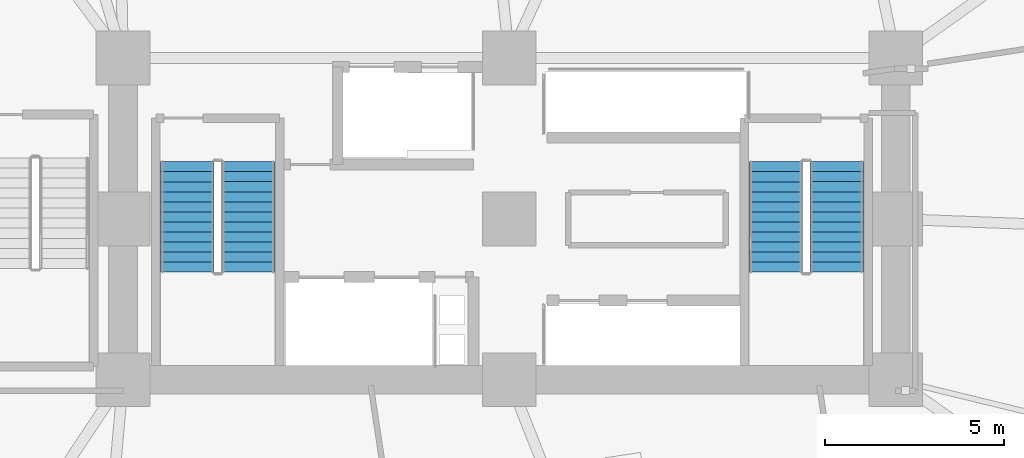
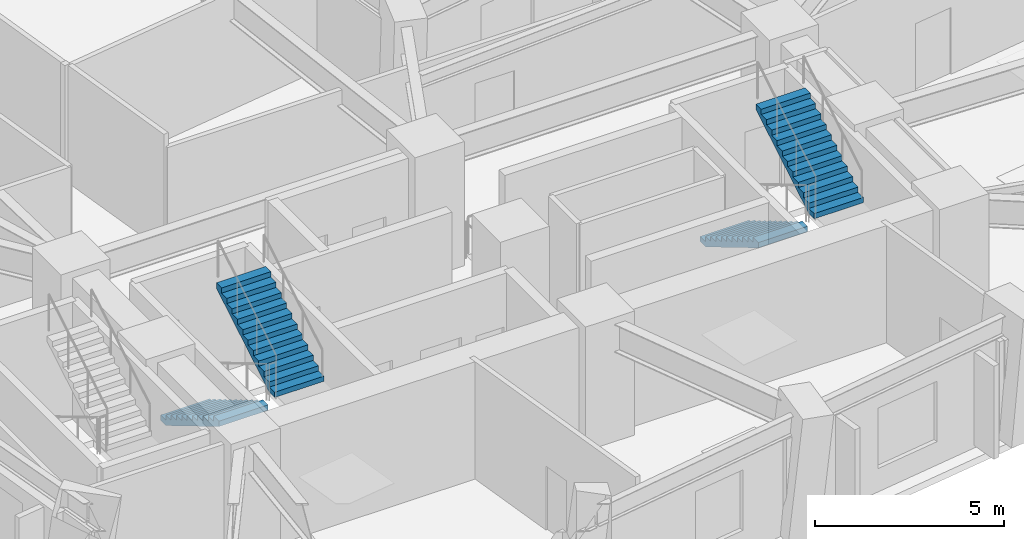
# One storey, part 11 of 15: 4 stair flights, 2 elements without a shape of their own.
"""IFC4 building model written with IfcOpenShell, lengths in metres."""

from ifc_helpers import new_model, si_unit, direction, frame, origin, place, context, subcontext, project, spatial, polyline, outline, extrude, material, type_object, element, aggregate, save


model = new_model("IFC4")

# Units and contexts
model_context = context("Model", 3, precision=1e-05, world=origin(), true_north=direction((0.0, 1.0)))
body_context = subcontext(model_context, "Body", "Model", "MODEL_VIEW")
ifc_project = project(units=[si_unit("LENGTHUNIT", "METRE"), si_unit("AREAUNIT", "SQUARE_METRE"), si_unit("VOLUMEUNIT", "CUBIC_METRE"), si_unit("PLANEANGLEUNIT", "RADIAN"), si_unit("MASSUNIT", "GRAM", prefix="KILO")], contexts=[model_context])

# Site, building, storey
site_placement = place(None, origin())
site = spatial("IfcSite", under=ifc_project, at=site_placement, CompositionType="ELEMENT")
building_placement = place(site_placement, origin())
building = spatial("IfcBuilding", under=site, at=building_placement, Name="Gaonmaruhae Medical Tower", CompositionType="ELEMENT")
storey_placement = place(building_placement, frame((0.0, 0.0, 59.0)))
storey = spatial("IfcBuildingStorey", under=building, at=storey_placement, Name="L13", CompositionType="ELEMENT", Elevation=59.0)

# Stair, stair flights
ifc_material = material(Name="Concrete C40/50", Category="concrete")
stair_type = type_object("IfcStairType", Name="ST-T1 Primary Core Escape Dogleg Stair", PredefinedType="TWO_QUARTER_TURN_STAIR", material=ifc_material)
stair_1_placement = place(storey_placement, origin())
stair_1 = element("IfcStair", 1, at=stair_1_placement, inside=storey, type_object=stair_type, Name="L13 Protected Escape Stair ST-01", PredefinedType="TWO_QUARTER_TURN_STAIR")
stair_flight_type = type_object("IfcStairFlightType", Name="SF-T1 Primary Core Precast Stair Flight", PredefinedType="STRAIGHT", material=ifc_material)
stair_flight_1_placement = place(storey_placement, frame((15.800048828125, 13.89990234375, 0.0), z_axis=(0.0, 0.0, 1.0), x_axis=(0.0, -1.0, 0.0)))
stair_flight_1 = element("IfcStairFlight", 2, at=stair_flight_1_placement, type_object=stair_flight_type, Name="ST-01 flight 1", NumberOfRisers=12, NumberOfTreads=11, PredefinedType="STRAIGHT", RiserHeight=0.166666667, TreadLength=0.28, context=body_context, shape_type="SweptSolid", body=[
    extrude(outline(polyline([(0.0, 0.0), (0.0, 0.166748046875), (0.280029296875, 0.166748046875), (0.280029296875, 0.333251953125), (0.56005859375, 0.333251953125), (0.56005859375, 0.5), (0.840087890625, 0.5), (0.840087890625, 0.666748046875), (1.1201171875, 0.666748046875), (1.1201171875, 0.833251953125), (1.39990234375, 0.833251953125), (1.39990234375, 1.0), (1.679931640625, 1.0), (1.679931640625, 1.166748046875), (1.9599609375, 1.166748046875), (1.9599609375, 1.333251953125), (2.239990234375, 1.333251953125), (2.239990234375, 1.5), (2.52001953125, 1.5), (2.52001953125, 1.666748046875), (2.800048828125, 1.666748046875), (2.800048828125, 1.833251953125), (3.080078125, 1.833251953125), (3.080078125, 2.0), (3.080078125, 1.658935546875), (0.29296875, 0.0), (0.0, 0.0)])), frame((0.0, 0.75, 0.0), z_axis=(0.0, -1.0, 0.0), x_axis=(1.0, 0.0, 0.0)), (0.0, 0.0, 1.0), 1.5),
])
stair_flight_2_placement = place(storey_placement, frame((17.5, 10.820068359375, 2.0), z_axis=(0.0, 0.0, 1.0), x_axis=(0.0, 1.0, 0.0)))
stair_flight_2 = element("IfcStairFlight", 3, at=stair_flight_2_placement, type_object=stair_flight_type, Name="ST-01 flight 2", NumberOfRisers=12, NumberOfTreads=11, PredefinedType="STRAIGHT", RiserHeight=0.166666667, TreadLength=0.28, context=body_context, shape_type="SweptSolid", body=[
    extrude(outline(polyline([(0.0, 0.0), (0.0, 0.166748046875), (0.280029296875, 0.166748046875), (0.280029296875, 0.333251953125), (0.56005859375, 0.333251953125), (0.56005859375, 0.5), (0.840087890625, 0.5), (0.840087890625, 0.666748046875), (1.1201171875, 0.666748046875), (1.1201171875, 0.833251953125), (1.39990234375, 0.833251953125), (1.39990234375, 1.0), (1.679931640625, 1.0), (1.679931640625, 1.166748046875), (1.9599609375, 1.166748046875), (1.9599609375, 1.333251953125), (2.239990234375, 1.333251953125), (2.239990234375, 1.5), (2.52001953125, 1.5), (2.52001953125, 1.666748046875), (2.800048828125, 1.666748046875), (2.800048828125, 1.833251953125), (3.080078125, 1.833251953125), (3.080078125, 2.0), (3.080078125, 1.658935546875), (0.29296875, 0.0), (0.0, 0.0)])), frame((0.0, 0.75, 0.0), z_axis=(0.0, -1.0, 0.0), x_axis=(1.0, 0.0, 0.0)), (0.0, 0.0, 1.0), 1.5),
])
aggregate(stair_1, [stair_flight_1, stair_flight_2])

stair_2_placement = place(storey_placement, origin())
stair_2 = element("IfcStair", 4, at=stair_2_placement, inside=storey, type_object=stair_type, Name="L13 Protected Escape Stair ST-02", PredefinedType="TWO_QUARTER_TURN_STAIR")
stair_flight_3_placement = place(storey_placement, frame((32.25, 13.89990234375, 0.0), z_axis=(0.0, 0.0, 1.0), x_axis=(0.0, -1.0, 0.0)))
stair_flight_3 = element("IfcStairFlight", 5, at=stair_flight_3_placement, type_object=stair_flight_type, Name="ST-02 flight 1", NumberOfRisers=12, NumberOfTreads=11, PredefinedType="STRAIGHT", RiserHeight=0.166666667, TreadLength=0.28, context=body_context, shape_type="SweptSolid", body=[
    extrude(outline(polyline([(0.0, 0.0), (0.0, 0.166748046875), (0.280029296875, 0.166748046875), (0.280029296875, 0.333251953125), (0.56005859375, 0.333251953125), (0.56005859375, 0.5), (0.840087890625, 0.5), (0.840087890625, 0.666748046875), (1.1201171875, 0.666748046875), (1.1201171875, 0.833251953125), (1.39990234375, 0.833251953125), (1.39990234375, 1.0), (1.679931640625, 1.0), (1.679931640625, 1.166748046875), (1.9599609375, 1.166748046875), (1.9599609375, 1.333251953125), (2.239990234375, 1.333251953125), (2.239990234375, 1.5), (2.52001953125, 1.5), (2.52001953125, 1.666748046875), (2.800048828125, 1.666748046875), (2.800048828125, 1.833251953125), (3.080078125, 1.833251953125), (3.080078125, 2.0), (3.080078125, 1.658935546875), (0.29296875, 0.0), (0.0, 0.0)])), frame((0.0, 0.75, 0.0), z_axis=(0.0, -1.0, 0.0), x_axis=(1.0, 0.0, 0.0)), (0.0, 0.0, 1.0), 1.5),
])
stair_flight_4_placement = place(storey_placement, frame((33.949951171875, 10.820068359375, 2.0), z_axis=(0.0, 0.0, 1.0), x_axis=(0.0, 1.0, 0.0)))
stair_flight_4 = element("IfcStairFlight", 6, at=stair_flight_4_placement, type_object=stair_flight_type, Name="ST-02 flight 2", NumberOfRisers=12, NumberOfTreads=11, PredefinedType="STRAIGHT", RiserHeight=0.166666667, TreadLength=0.28, context=body_context, shape_type="SweptSolid", body=[
    extrude(outline(polyline([(0.0, 0.0), (0.0, 0.166748046875), (0.280029296875, 0.166748046875), (0.280029296875, 0.333251953125), (0.56005859375, 0.333251953125), (0.56005859375, 0.5), (0.840087890625, 0.5), (0.840087890625, 0.666748046875), (1.1201171875, 0.666748046875), (1.1201171875, 0.833251953125), (1.39990234375, 0.833251953125), (1.39990234375, 1.0), (1.679931640625, 1.0), (1.679931640625, 1.166748046875), (1.9599609375, 1.166748046875), (1.9599609375, 1.333251953125), (2.239990234375, 1.333251953125), (2.239990234375, 1.5), (2.52001953125, 1.5), (2.52001953125, 1.666748046875), (2.800048828125, 1.666748046875), (2.800048828125, 1.833251953125), (3.080078125, 1.833251953125), (3.080078125, 2.0), (3.080078125, 1.658935546875), (0.29296875, 0.0), (0.0, 0.0)])), frame((0.0, 0.75, 0.0), z_axis=(0.0, -1.0, 0.0), x_axis=(1.0, 0.0, 0.0)), (0.0, 0.0, 1.0), 1.5),
])
aggregate(stair_2, [stair_flight_3, stair_flight_4])

save(model, "model.ifc")
